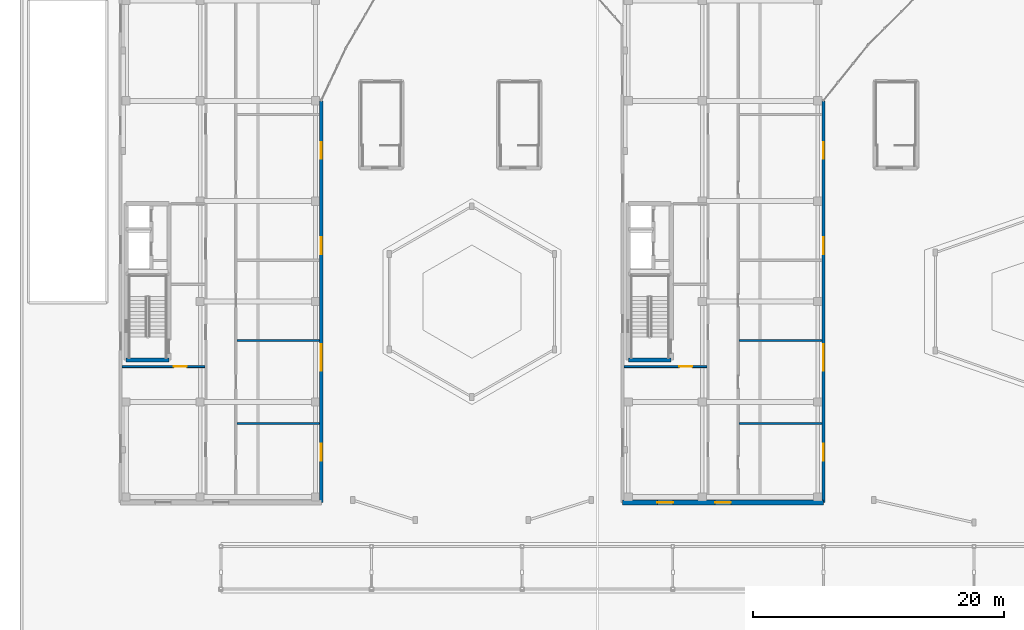
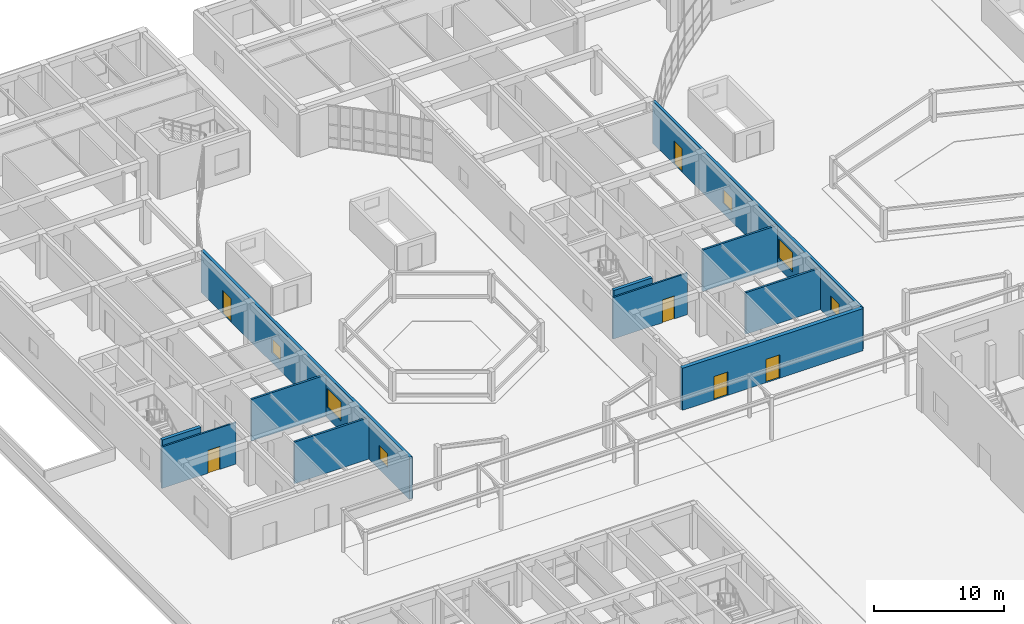
# One storey, part 76 of 114: 11 walls, 6 doors, 6 windows, 12 openings.
"""IFC4 building model written with IfcOpenShell, lengths in metres."""

from ifc_helpers import new_model, si_unit, direction, frame, frame_2d, origin, place, context, subcontext, project, spatial, rectangle, extrude, material, layer, layer_set, type_object, element, fill, save


model = new_model("IFC4")

# Units and contexts
model_context = context("Model", 3, precision=1e-05, world=origin(), true_north=direction((0.0, 1.0)))
body_context = subcontext(model_context, "Body", "Model", "MODEL_VIEW")
ifc_project = project(units=[si_unit("LENGTHUNIT", "METRE"), si_unit("AREAUNIT", "SQUARE_METRE"), si_unit("VOLUMEUNIT", "CUBIC_METRE"), si_unit("PLANEANGLEUNIT", "RADIAN"), si_unit("MASSUNIT", "GRAM", prefix="KILO")], contexts=[model_context])

# Site, building, storey
site_placement = place(None, origin())
site = spatial("IfcSite", under=ifc_project, at=site_placement, CompositionType="ELEMENT")
building_placement = place(site_placement, origin())
building = spatial("IfcBuilding", under=site, at=building_placement, Name="Keldmere Railside Commons", CompositionType="ELEMENT")
storey_placement = place(building_placement, origin())
storey = spatial("IfcBuildingStorey", under=building, at=storey_placement, Name="L00", CompositionType="ELEMENT", Elevation=0.0)

# Walls
ifc_material_1 = material(Name="Acoustic Gypsum Board Partition", Category="gypsum")
ifc_layer_1 = layer(ifc_material_1, 0.179931640625, Name="Acoustic Demising Partition 180")
ifc_layer_set_1 = layer_set([ifc_layer_1], Name="Acoustic Gypsum Board Partition")
wall_type_1 = type_object("IfcWallType", Name="Acoustic Demising Partition 180", PredefinedType="PARTITIONING", material=ifc_layer_set_1)
for number, where, z_axis, x_axis, name in (
    (1, (17.280029296875, 62.300048828125, 0.0), (0.0, 0.0, 1.0), (1.0, 0.0, 0.0), "IW-1 IW-L00-0191"),
    (2, (17.280029296875, 68.89990234375, 0.0), (0.0, 0.0, 1.0), (1.0, 0.0, 0.0), "IW-1 IW-L00-0192"),
):
    element("IfcWall", number, at=place(storey_placement, frame(where, z_axis=z_axis, x_axis=x_axis)), inside=storey, type_object=wall_type_1, Name=name, PredefinedType="PARTITIONING", context=body_context, shape_type="SweptSolid", body=[
        extrude(rectangle(XDim=6.590087890625, YDim=0.179931640625, at=frame_2d((3.294921875, 0.0))), origin(), (0.0, 0.0, 1.0), 3.89501953125),
    ])
for number, where, z_axis, x_axis, name in (
    (3, (57.280029296875, 62.300048828125, 0.0), (0.0, 0.0, 1.0), (1.0, 0.0, 0.0), "IW-1 IW-L00-0495"),
    (4, (57.280029296875, 68.89990234375, 0.0), (0.0, 0.0, 1.0), (1.0, 0.0, 0.0), "IW-1 IW-L00-0496"),
):
    element("IfcWall", number, at=place(storey_placement, frame(where, z_axis=z_axis, x_axis=x_axis)), inside=storey, type_object=wall_type_1, Name=name, PredefinedType="PARTITIONING", context=body_context, shape_type="SweptSolid", body=[
        extrude(rectangle(XDim=6.599853515625, YDim=0.179931640625, at=frame_2d((3.2998046875, 0.0))), origin(), (0.0, 0.0, 1.0), 3.89501953125),
    ])

# Wall, openings, doors
ifc_material_2 = material(Name="Concrete H-35 (C35/45)", Category="concrete")
ifc_layer_2 = layer(ifc_material_2, 0.360107421875, Name="Exterior Shear Wall 360")
ifc_layer_set_2 = layer_set([ifc_layer_2], Name="Concrete H-35 (C35/45)")
wall_type_2 = type_object("IfcWallType", Name="Exterior Shear Wall 360", PredefinedType="SHEAR", material=ifc_layer_set_2)
wall_1_placement = place(storey_placement, frame((64.0, 56.0, 0.0), z_axis=(0.0, 0.0, 1.0), x_axis=(-1.0, 0.0, 0.0)))
wall_1 = element("IfcWall", 5, at=wall_1_placement, inside=storey, type_object=wall_type_2, Name="ESW-1 EXTC-L00-0318", PredefinedType="SHEAR", context=body_context, shape_type="SweptSolid", body=[
    extrude(rectangle(XDim=16.0, YDim=0.360107421875, at=frame_2d((8.0, 0.0))), origin(), (0.0, 0.0, 1.0), 3.93994140625),
])
opening_1_placement = place(wall_1_placement, frame((7.375, 0.0, 0.0)))
opening_1 = element("IfcOpeningElement", 6, at=opening_1_placement, cuts=wall_1, Name="Opening ED-02", PredefinedType="OPENING", context=body_context, shape_type="SweptSolid", body=[
    extrude(rectangle(XDim=1.25, YDim=2.199951171875, at=frame_2d((0.625, 1.10009765625))), frame((0.0, 0.18994140625, 0.0), z_axis=(0.0, -1.0, 0.0), x_axis=(1.0, 0.0, 0.0)), (0.0, 0.0, 1.0), 0.380126953125),
])
opening_2_placement = place(wall_1_placement, frame((11.97509765625, 0.0, 0.0)))
opening_2 = element("IfcOpeningElement", 7, at=opening_2_placement, cuts=wall_1, Name="Opening ED-02", PredefinedType="OPENING", context=body_context, shape_type="SweptSolid", body=[
    extrude(rectangle(XDim=1.25, YDim=2.199951171875, at=frame_2d((0.625, 1.10009765625))), frame((0.0, 0.18994140625, 0.0), z_axis=(0.0, -1.0, 0.0), x_axis=(1.0, 0.0, 0.0)), (0.0, 0.0, 1.0), 0.380126953125),
])
ifc_material_3 = material(Name="Steel F-24 (S235)", Category="steel")
door_type_1 = type_object("IfcDoorType", Name="Stair Final Escape Exit Door 1250x2200", OperationType="NOTDEFINED", PredefinedType="DOOR", material=ifc_material_3)
door_1_placement = place(opening_1_placement, origin())
door_1 = element("IfcDoor", 8, at=door_1_placement, inside=storey, type_object=door_type_1, Name="ED-02 DR-L00-0048", OperationType="SINGLE_SWING_LEFT", OverallHeight=2.199951171875, OverallWidth=1.25, PredefinedType="DOOR", context=body_context, shape_type="SweptSolid", body=[
    extrude(rectangle(XDim=1.25, YDim=2.199951171875, at=frame_2d((0.625, 1.10009765625))), frame((0.0, 0.02490234375, 0.0), z_axis=(0.0, -1.0, 0.0), x_axis=(1.0, 0.0, 0.0)), (0.0, 0.0, 1.0), 0.050048828125),
])
fill(opening_1, door_1)
door_2_placement = place(opening_2_placement, origin())
door_2 = element("IfcDoor", 9, at=door_2_placement, inside=storey, type_object=door_type_1, Name="ED-02 DR-L00-0049", OperationType="SINGLE_SWING_RIGHT", OverallHeight=2.199951171875, OverallWidth=1.25, PredefinedType="DOOR", context=body_context, shape_type="SweptSolid", body=[
    extrude(rectangle(XDim=1.25, YDim=2.199951171875, at=frame_2d((0.625, 1.10009765625))), frame((0.0, 0.02490234375, 0.0), z_axis=(0.0, -1.0, 0.0), x_axis=(1.0, 0.0, 0.0)), (0.0, 0.0, 1.0), 0.050048828125),
])
fill(opening_2, door_2)

# Walls
ifc_layer_3 = layer(ifc_material_2, 0.300048828125, Name="Interior Shear Wall 300")
ifc_layer_set_3 = layer_set([ifc_layer_3], Name="Concrete H-35 (C35/45)")
wall_type_3 = type_object("IfcWallType", Name="Interior Shear Wall 300", PredefinedType="SHEAR", material=ifc_layer_set_3)
for number, where, z_axis, x_axis, name in (
    (10, (11.8701171875, 67.35009765625, 0.0), (0.0, 0.0, 1.0), (-1.0, 0.0, 0.0), "ISW-2 COREDS-L00-0030"),
    (11, (51.8701171875, 67.35009765625, 0.0), (0.0, 0.0, 1.0), (-1.0, 0.0, 0.0), "ISW-2 CORECS-L00-0201"),
):
    element("IfcWall", number, at=place(storey_placement, frame(where, z_axis=z_axis, x_axis=x_axis)), inside=storey, type_object=wall_type_3, Name=name, PredefinedType="SHEAR", context=body_context, shape_type="SweptSolid", body=[
        extrude(rectangle(XDim=3.41015625, YDim=0.300048828125, at=frame_2d((1.705078125, 0.0))), origin(), (0.0, 0.0, 1.0), 4.159912109375),
    ])

# Wall, opening, door
ifc_layer_4 = layer(ifc_material_1, 0.14990234375, Name="Lobby Rated Partition 150")
ifc_layer_set_4 = layer_set([ifc_layer_4], Name="Acoustic Gypsum Board Partition")
wall_type_4 = type_object("IfcWallType", Name="Lobby Rated Partition 150", PredefinedType="PARTITIONING", material=ifc_layer_set_4)
wall_2_placement = place(storey_placement, frame((8.1298828125, 66.820068359375, 0.0), z_axis=(0.0, 0.0, 1.0), x_axis=(1.0, 0.0, 0.0)))
wall_2 = element("IfcWall", 12, at=wall_2_placement, inside=storey, type_object=wall_type_4, Name="IW-3 IW-L00-0180", PredefinedType="PARTITIONING", context=body_context, shape_type="SweptSolid", body=[
    extrude(rectangle(XDim=6.590087890625, YDim=0.14990234375, at=frame_2d((3.294921875, 0.0))), origin(), (0.0, 0.0, 1.0), 3.89501953125),
])
opening_3_placement = place(wall_2_placement, frame((4.10009765625, 0.0, 0.0)))
opening_3 = element("IfcOpeningElement", 13, at=opening_3_placement, cuts=wall_2, Name="Opening FD-1", PredefinedType="OPENING", context=body_context, shape_type="SweptSolid", body=[
    extrude(rectangle(XDim=1.050048828125, YDim=2.14990234375, at=frame_2d((0.52490234375, 1.074951171875))), frame((0.0, 0.0849609375, 0.0), z_axis=(0.0, -1.0, 0.0), x_axis=(1.0, 0.0, 0.0)), (0.0, 0.0, 1.0), 0.169921875),
])
door_type_2 = type_object("IfcDoorType", Name="Stair Core Fire Door 1050x2150", OperationType="NOTDEFINED", PredefinedType="DOOR", material=ifc_material_3)
door_3_placement = place(opening_3_placement, origin())
door_3 = element("IfcDoor", 14, at=door_3_placement, inside=storey, type_object=door_type_2, Name="FD-1 IDR-L00-0101", OperationType="SINGLE_SWING_LEFT", OverallHeight=2.14990234375, OverallWidth=1.050048828125, PredefinedType="DOOR", context=body_context, shape_type="SweptSolid", body=[
    extrude(rectangle(XDim=1.050048828125, YDim=2.14990234375, at=frame_2d((0.52490234375, 1.074951171875))), frame((0.0, 0.02490234375, 0.0), z_axis=(0.0, -1.0, 0.0), x_axis=(1.0, 0.0, 0.0)), (0.0, 0.0, 1.0), 0.050048828125),
])
fill(opening_3, door_3)

wall_3_placement = place(storey_placement, frame((48.1201171875, 66.820068359375, 0.0), z_axis=(0.0, 0.0, 1.0), x_axis=(1.0, 0.0, 0.0)))
wall_3 = element("IfcWall", 15, at=wall_3_placement, inside=storey, type_object=wall_type_4, Name="IW-3 IW-L00-0483", PredefinedType="PARTITIONING", context=body_context, shape_type="SweptSolid", body=[
    extrude(rectangle(XDim=6.599853515625, YDim=0.14990234375, at=frame_2d((3.2998046875, 0.0))), origin(), (0.0, 0.0, 1.0), 3.89501953125),
])
opening_4_placement = place(wall_3_placement, frame((4.39990234375, 0.0, 0.0)))
opening_4 = element("IfcOpeningElement", 16, at=opening_4_placement, cuts=wall_3, Name="Opening FD-1", PredefinedType="OPENING", context=body_context, shape_type="SweptSolid", body=[
    extrude(rectangle(XDim=1.050048828125, YDim=2.14990234375, at=frame_2d((0.52490234375, 1.074951171875))), frame((0.0, 0.0849609375, 0.0), z_axis=(0.0, -1.0, 0.0), x_axis=(1.0, 0.0, 0.0)), (0.0, 0.0, 1.0), 0.169921875),
])
door_4_placement = place(opening_4_placement, origin())
door_4 = element("IfcDoor", 17, at=door_4_placement, inside=storey, type_object=door_type_2, Name="FD-1 IDR-L00-0389", OperationType="SINGLE_SWING_LEFT", OverallHeight=2.14990234375, OverallWidth=1.050048828125, PredefinedType="DOOR", context=body_context, shape_type="SweptSolid", body=[
    extrude(rectangle(XDim=1.050048828125, YDim=2.14990234375, at=frame_2d((0.52490234375, 1.074951171875))), frame((0.0, 0.02490234375, 0.0), z_axis=(0.0, -1.0, 0.0), x_axis=(1.0, 0.0, 0.0)), (0.0, 0.0, 1.0), 0.050048828125),
])
fill(opening_4, door_4)

# Wall, openings, windows, door
ifc_material_4 = material(Name="Architectural Precast Concrete H-35 (C35/45)", Category="concrete")
ifc_layer_5 = layer(ifc_material_4, 0.239990234375, Name="Sand-Ochre Precast Cavity Wall 240")
ifc_layer_set_5 = layer_set([ifc_layer_5], Name="Architectural Precast Concrete H-35 (C35/45)")
wall_type_5 = type_object("IfcWallType", Name="Sand-Ochre Precast Cavity Wall 240", PredefinedType="SOLIDWALL", material=ifc_layer_set_5)
wall_4_placement = place(storey_placement, frame((64.0, 88.0, 0.0), z_axis=(0.0, 0.0, 1.0), x_axis=(0.0, -1.0, 0.0)))
wall_4 = element("IfcWall", 18, at=wall_4_placement, inside=storey, type_object=wall_type_5, Name="EW-2 EXTC-L00-0319", PredefinedType="SOLIDWALL", context=body_context, shape_type="SweptSolid", body=[
    extrude(rectangle(XDim=32.0, YDim=0.239990234375, at=frame_2d((16.0, 0.0))), origin(), (0.0, 0.0, 1.0), 3.93994140625),
])
opening_5_placement = place(wall_4_placement, frame((3.300048828125, 0.0, 0.0)))
opening_5 = element("IfcOpeningElement", 19, at=opening_5_placement, cuts=wall_4, Name="Opening BD-04", PredefinedType="OPENING", context=body_context, shape_type="SweptSolid", body=[
    extrude(rectangle(XDim=1.300048828125, YDim=2.199951171875, at=frame_2d((0.64990234375, 1.10009765625))), frame((0.0, 0.1298828125, 0.0), z_axis=(0.0, -1.0, 0.0), x_axis=(1.0, 0.0, 0.0)), (0.0, 0.0, 1.0), 0.260009765625),
])
opening_6_placement = place(wall_4_placement, frame((10.875, 0.0, 0.949951171875)))
opening_6 = element("IfcOpeningElement", 20, at=opening_6_placement, cuts=wall_4, Name="Opening WN-25", PredefinedType="OPENING", context=body_context, shape_type="SweptSolid", body=[
    extrude(rectangle(XDim=1.35009765625, YDim=1.300048828125, at=frame_2d((0.675048828125, 0.64990234375))), frame((0.0, 0.1298828125, 0.0), z_axis=(0.0, -1.0, 0.0), x_axis=(1.0, 0.0, 0.0)), (0.0, 0.0, 1.0), 0.260009765625),
])
opening_7_placement = place(wall_4_placement, frame((19.375, 0.0, 0.949951171875)))
opening_7 = element("IfcOpeningElement", 21, at=opening_7_placement, cuts=wall_4, Name="Opening WN-41", PredefinedType="OPENING", context=body_context, shape_type="SweptSolid", body=[
    extrude(rectangle(XDim=2.14990234375, YDim=1.800048828125, at=frame_2d((1.074951171875, 0.89990234375))), frame((0.0, 0.1298828125, 0.0), z_axis=(0.0, -1.0, 0.0), x_axis=(1.0, 0.0, 0.0)), (0.0, 0.0, 1.0), 0.260009765625),
])
opening_8_placement = place(wall_4_placement, frame((27.324951171875, 0.0, 0.949951171875)))
opening_8 = element("IfcOpeningElement", 22, at=opening_8_placement, cuts=wall_4, Name="Opening WN-25", PredefinedType="OPENING", context=body_context, shape_type="SweptSolid", body=[
    extrude(rectangle(XDim=1.35009765625, YDim=1.300048828125, at=frame_2d((0.675048828125, 0.64990234375))), frame((0.0, 0.1298828125, 0.0), z_axis=(0.0, -1.0, 0.0), x_axis=(1.0, 0.0, 0.0)), (0.0, 0.0, 1.0), 0.260009765625),
])
ifc_material_5 = material(Name="Low-E Insulated Double Glazing", Category="glass")
window_type_1 = type_object("IfcWindowType", Name="North Plinth Gallery Window 2150x1800", PartitioningType="SINGLE_PANEL", PredefinedType="WINDOW", material=ifc_material_5)
window_1_placement = place(opening_7_placement, origin())
window_1 = element("IfcWindow", 23, at=window_1_placement, inside=storey, type_object=window_type_1, Name="WN-41 WIN-L00-0157", OverallHeight=1.800048828125, OverallWidth=2.14990234375, PartitioningType="SINGLE_PANEL", PredefinedType="WINDOW", context=body_context, shape_type="SweptSolid", body=[
    extrude(rectangle(XDim=2.14990234375, YDim=1.800048828125, at=frame_2d((1.074951171875, 0.89990234375))), frame((0.0, 0.030029296875, 0.0), z_axis=(0.0, -1.0, 0.0), x_axis=(1.0, 0.0, 0.0)), (0.0, 0.0, 1.0), 0.06005859375),
])
fill(opening_7, window_1)
window_type_2 = type_object("IfcWindowType", Name="Podium Laundry & Mailroom Window 1350x1300", PartitioningType="SINGLE_PANEL", PredefinedType="WINDOW", material=ifc_material_5)
window_2_placement = place(opening_6_placement, origin())
window_2 = element("IfcWindow", 24, at=window_2_placement, inside=storey, type_object=window_type_2, Name="WN-25 WIN-L00-0156", OverallHeight=1.300048828125, OverallWidth=1.35009765625, PartitioningType="SINGLE_PANEL", PredefinedType="WINDOW", context=body_context, shape_type="SweptSolid", body=[
    extrude(rectangle(XDim=1.35009765625, YDim=1.300048828125, at=frame_2d((0.675048828125, 0.64990234375))), frame((0.0, 0.030029296875, 0.0), z_axis=(0.0, -1.0, 0.0), x_axis=(1.0, 0.0, 0.0)), (0.0, 0.0, 1.0), 0.06005859375),
])
fill(opening_6, window_2)
window_3_placement = place(opening_8_placement, origin())
window_3 = element("IfcWindow", 25, at=window_3_placement, inside=storey, type_object=window_type_2, Name="WN-25 WIN-L00-0158", OverallHeight=1.300048828125, OverallWidth=1.35009765625, PartitioningType="SINGLE_PANEL", PredefinedType="WINDOW", context=body_context, shape_type="SweptSolid", body=[
    extrude(rectangle(XDim=1.35009765625, YDim=1.300048828125, at=frame_2d((0.675048828125, 0.64990234375))), frame((0.0, 0.030029296875, 0.0), z_axis=(0.0, -1.0, 0.0), x_axis=(1.0, 0.0, 0.0)), (0.0, 0.0, 1.0), 0.06005859375),
])
fill(opening_8, window_3)
ifc_material_6 = material(Name="Thermally Broken Aluminium", Category="aluminium")
door_type_3 = type_object("IfcDoorType", Name="Shared Court-Deck Access Door 1300x2200", OperationType="NOTDEFINED", PredefinedType="DOOR", material=ifc_material_6)
door_5_placement = place(opening_5_placement, origin())
door_5 = element("IfcDoor", 26, at=door_5_placement, inside=storey, type_object=door_type_3, Name="BD-04 DR-L00-0050", OperationType="SINGLE_SWING_RIGHT", OverallHeight=2.199951171875, OverallWidth=1.300048828125, PredefinedType="DOOR", context=body_context, shape_type="SweptSolid", body=[
    extrude(rectangle(XDim=1.300048828125, YDim=2.199951171875, at=frame_2d((0.64990234375, 1.10009765625))), frame((0.0, 0.02490234375, 0.0), z_axis=(0.0, -1.0, 0.0), x_axis=(1.0, 0.0, 0.0)), (0.0, 0.0, 1.0), 0.050048828125),
])
fill(opening_5, door_5)

ifc_material_7 = material(Name="Terracotta Brick Masonry", Category="masonry")
ifc_layer_6 = layer(ifc_material_7, 0.260009765625, Name="Terracotta Cavity Wall 260")
ifc_layer_set_6 = layer_set([ifc_layer_6], Name="Terracotta Brick Masonry")
wall_type_6 = type_object("IfcWallType", Name="Terracotta Cavity Wall 260", PredefinedType="SOLIDWALL", material=ifc_layer_set_6)
wall_5_placement = place(storey_placement, frame((24.0, 88.0, 0.0), z_axis=(0.0, 0.0, 1.0), x_axis=(0.0, -1.0, 0.0)))
wall_5 = element("IfcWall", 27, at=wall_5_placement, inside=storey, type_object=wall_type_6, Name="EW-1 EXTD-L00-0124", PredefinedType="SOLIDWALL", context=body_context, shape_type="SweptSolid", body=[
    extrude(rectangle(XDim=32.0, YDim=0.260009765625, at=frame_2d((16.0, 0.0))), origin(), (0.0, 0.0, 1.0), 3.93994140625),
])
opening_9_placement = place(wall_5_placement, frame((3.300048828125, 0.0, 0.0)))
opening_9 = element("IfcOpeningElement", 28, at=opening_9_placement, cuts=wall_5, Name="Opening BD-04", PredefinedType="OPENING", context=body_context, shape_type="SweptSolid", body=[
    extrude(rectangle(XDim=1.300048828125, YDim=2.199951171875, at=frame_2d((0.64990234375, 1.10009765625))), frame((0.0, 0.139892578125, 0.0), z_axis=(0.0, -1.0, 0.0), x_axis=(1.0, 0.0, 0.0)), (0.0, 0.0, 1.0), 0.280029296875),
])
opening_10_placement = place(wall_5_placement, frame((10.875, 0.0, 0.949951171875)))
opening_10 = element("IfcOpeningElement", 29, at=opening_10_placement, cuts=wall_5, Name="Opening WN-25", PredefinedType="OPENING", context=body_context, shape_type="SweptSolid", body=[
    extrude(rectangle(XDim=1.35009765625, YDim=1.300048828125, at=frame_2d((0.675048828125, 0.64990234375))), frame((0.0, 0.139892578125, 0.0), z_axis=(0.0, -1.0, 0.0), x_axis=(1.0, 0.0, 0.0)), (0.0, 0.0, 1.0), 0.280029296875),
])
opening_11_placement = place(wall_5_placement, frame((19.375, 0.0, 0.949951171875)))
opening_11 = element("IfcOpeningElement", 30, at=opening_11_placement, cuts=wall_5, Name="Opening WN-41", PredefinedType="OPENING", context=body_context, shape_type="SweptSolid", body=[
    extrude(rectangle(XDim=2.14990234375, YDim=1.800048828125, at=frame_2d((1.074951171875, 0.89990234375))), frame((0.0, 0.139892578125, 0.0), z_axis=(0.0, -1.0, 0.0), x_axis=(1.0, 0.0, 0.0)), (0.0, 0.0, 1.0), 0.280029296875),
])
opening_12_placement = place(wall_5_placement, frame((27.324951171875, 0.0, 0.949951171875)))
opening_12 = element("IfcOpeningElement", 31, at=opening_12_placement, cuts=wall_5, Name="Opening WN-25", PredefinedType="OPENING", context=body_context, shape_type="SweptSolid", body=[
    extrude(rectangle(XDim=1.35009765625, YDim=1.300048828125, at=frame_2d((0.675048828125, 0.64990234375))), frame((0.0, 0.139892578125, 0.0), z_axis=(0.0, -1.0, 0.0), x_axis=(1.0, 0.0, 0.0)), (0.0, 0.0, 1.0), 0.280029296875),
])
window_4_placement = place(opening_11_placement, origin())
window_4 = element("IfcWindow", 32, at=window_4_placement, inside=storey, type_object=window_type_1, Name="WN-41 WIN-L00-0016", OverallHeight=1.800048828125, OverallWidth=2.14990234375, PartitioningType="SINGLE_PANEL", PredefinedType="WINDOW", context=body_context, shape_type="SweptSolid", body=[
    extrude(rectangle(XDim=2.14990234375, YDim=1.800048828125, at=frame_2d((1.074951171875, 0.89990234375))), frame((0.0, 0.030029296875, 0.0), z_axis=(0.0, -1.0, 0.0), x_axis=(1.0, 0.0, 0.0)), (0.0, 0.0, 1.0), 0.06005859375),
])
fill(opening_11, window_4)
window_5_placement = place(opening_10_placement, origin())
window_5 = element("IfcWindow", 33, at=window_5_placement, inside=storey, type_object=window_type_2, Name="WN-25 WIN-L00-0015", OverallHeight=1.300048828125, OverallWidth=1.35009765625, PartitioningType="SINGLE_PANEL", PredefinedType="WINDOW", context=body_context, shape_type="SweptSolid", body=[
    extrude(rectangle(XDim=1.35009765625, YDim=1.300048828125, at=frame_2d((0.675048828125, 0.64990234375))), frame((0.0, 0.030029296875, 0.0), z_axis=(0.0, -1.0, 0.0), x_axis=(1.0, 0.0, 0.0)), (0.0, 0.0, 1.0), 0.06005859375),
])
fill(opening_10, window_5)
window_6_placement = place(opening_12_placement, origin())
window_6 = element("IfcWindow", 34, at=window_6_placement, inside=storey, type_object=window_type_2, Name="WN-25 WIN-L00-0017", OverallHeight=1.300048828125, OverallWidth=1.35009765625, PartitioningType="SINGLE_PANEL", PredefinedType="WINDOW", context=body_context, shape_type="SweptSolid", body=[
    extrude(rectangle(XDim=1.35009765625, YDim=1.300048828125, at=frame_2d((0.675048828125, 0.64990234375))), frame((0.0, 0.030029296875, 0.0), z_axis=(0.0, -1.0, 0.0), x_axis=(1.0, 0.0, 0.0)), (0.0, 0.0, 1.0), 0.06005859375),
])
fill(opening_12, window_6)
door_6_placement = place(opening_9_placement, origin())
door_6 = element("IfcDoor", 35, at=door_6_placement, inside=storey, type_object=door_type_3, Name="BD-04 DR-L00-0003", OperationType="SINGLE_SWING_LEFT", OverallHeight=2.199951171875, OverallWidth=1.300048828125, PredefinedType="DOOR", context=body_context, shape_type="SweptSolid", body=[
    extrude(rectangle(XDim=1.300048828125, YDim=2.199951171875, at=frame_2d((0.64990234375, 1.10009765625))), frame((0.0, 0.02490234375, 0.0), z_axis=(0.0, -1.0, 0.0), x_axis=(1.0, 0.0, 0.0)), (0.0, 0.0, 1.0), 0.050048828125),
])
fill(opening_9, door_6)

save(model, "model.ifc")
